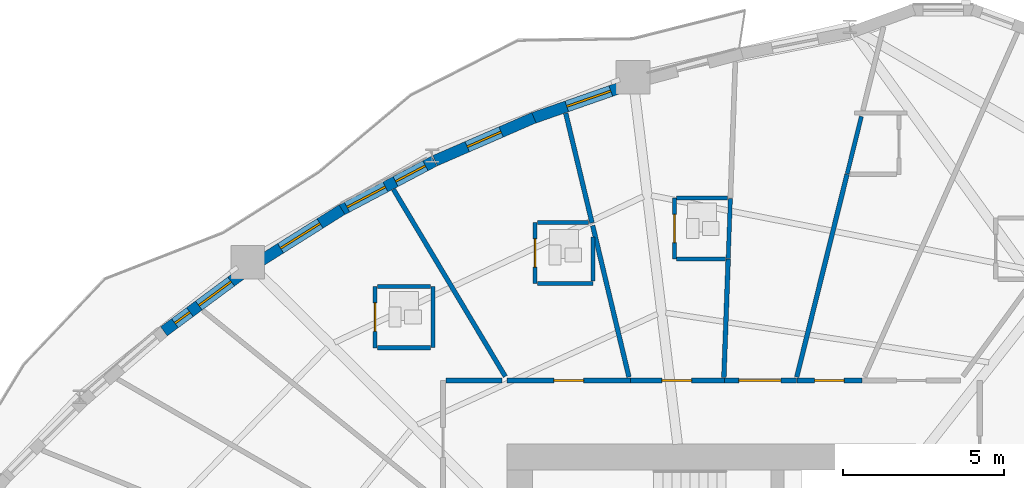
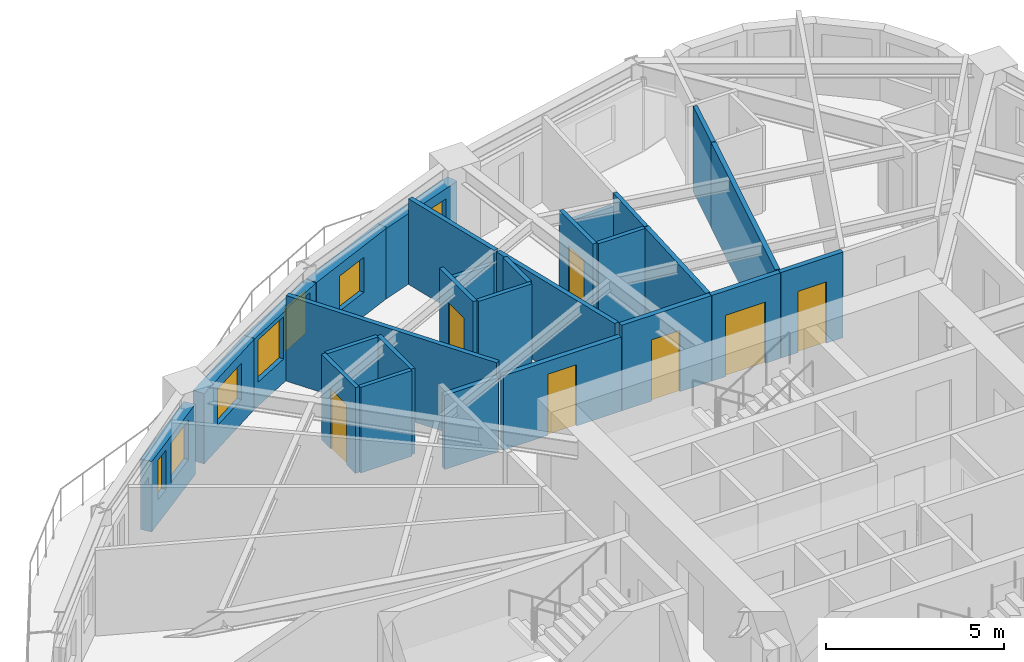
# One storey, part 9 of 16: 28 walls, 7 doors, 7 windows, 14 openings.
"""IFC4 building model written with IfcOpenShell, lengths in metres."""

import ifcopenshell
import ifcopenshell.guid

model = None  # the IFC model being written
_history = None  # IfcOwnerHistory: only IFC2X3 demands one
_inside = {}  # id of a spatial element -> (the spatial element, [elements in it])
_under = {}  # id of a project, library or spatial element -> (it, [spatial elements below it])
_declared = {}  # id of a project -> (the project, [libraries it declares])
_typed = {}  # id of a type object -> (the type object, [elements of that type])
_made_of = {}  # id of a material, layer set ... -> (it, [elements and type objects made of it])


def new_model(schema):
    """Start an empty IFC model of exactly this schema.

    Asked for "IFC4X3", IfcOpenShell would pick the latest addendum, in which some entities
    have other attributes; the version numbers below select the first issue.
    IFC2X3 requires an IfcOwnerHistory on every rooted entity: one is made here for all.
    """
    global model, _history
    if schema == "IFC4X3":
        model = ifcopenshell.file(schema_version=(4, 3, 0, 0))
    else:
        model = ifcopenshell.file(schema=schema)
    _inside.clear()
    _under.clear()
    _declared.clear()
    _typed.clear()
    _made_of.clear()
    _history = None
    if model.schema == "IFC2X3":
        org = make("IfcOrganization", Name="unknown")
        user = make(
            "IfcPersonAndOrganization",
            ThePerson=make("IfcPerson", FamilyName="unknown"),
            TheOrganization=org,
        )
        app = make(
            "IfcApplication",
            ApplicationDeveloper=org,
            Version="unknown",
            ApplicationFullName="unknown",
            ApplicationIdentifier="unknown",
        )
        _history = make(
            "IfcOwnerHistory",
            OwningUser=user,
            OwningApplication=app,
            ChangeAction="ADDED",
            CreationDate=0,
        )
    return model


def make(cls, **values):
    """One entity of the class cls with the attributes given. An attribute that is None is left unset."""
    return model.create_entity(
        cls, **{name: value for name, value in values.items() if value is not None}
    )


def rooted(cls, **values):
    """An entity with a GlobalId (a new one), such as an element, a storey or a relation."""
    return make(cls, GlobalId=ifcopenshell.guid.new(), OwnerHistory=_history, **values)


def si_unit(unit_type, name, prefix=None):
    """IfcSIUnit, for example si_unit("LENGTHUNIT", "METRE", prefix="MILLI")."""
    return make("IfcSIUnit", UnitType=unit_type, Prefix=prefix, Name=name)


def assignment(units):
    """IfcUnitAssignment: the units of a project."""
    return None if units is None else make("IfcUnitAssignment", Units=units)


def point(xyz):
    """IfcCartesianPoint."""
    return None if xyz is None else make("IfcCartesianPoint", Coordinates=xyz)


def direction(xyz):
    """IfcDirection."""
    return None if xyz is None else make("IfcDirection", DirectionRatios=xyz)


def frame(location, z_axis=None, x_axis=None):
    """IfcAxis2Placement3D, a coordinate frame: its origin and axes. An axis left out is left unset."""
    return make(
        "IfcAxis2Placement3D",
        Location=point(location),
        Axis=direction(z_axis),
        RefDirection=direction(x_axis),
    )


def frame_2d(location, x_axis=None):
    """IfcAxis2Placement2D, a coordinate frame in the plane: its origin and x axis."""
    return make(
        "IfcAxis2Placement2D", Location=point(location), RefDirection=direction(x_axis)
    )


def origin():
    """The frame at (0, 0, 0) with its axes left unset."""
    return frame((0.0, 0.0, 0.0))


def place(relative_to, where):
    """IfcLocalPlacement: puts the frame where relative to a parent placement (None: the world)."""
    return make(
        "IfcLocalPlacement", PlacementRelTo=relative_to, RelativePlacement=where
    )


def context(
    kind, dimensions, precision=None, world=None, true_north=None, identifier=None
):
    """IfcGeometricRepresentationContext, for example the 3D "Model" context."""
    return make(
        "IfcGeometricRepresentationContext",
        ContextIdentifier=identifier,
        ContextType=kind,
        CoordinateSpaceDimension=dimensions,
        Precision=precision,
        WorldCoordinateSystem=world,
        TrueNorth=true_north,
    )


def subcontext(parent, identifier, kind, view, scale=None):
    """IfcGeometricRepresentationSubContext, for example "Body" below "Model"."""
    return make(
        "IfcGeometricRepresentationSubContext",
        ContextIdentifier=identifier,
        ContextType=kind,
        ParentContext=parent,
        TargetScale=scale,
        TargetView=view,
    )


def project(units=None, contexts=None):
    """IfcProject with its units and contexts."""
    return rooted(
        "IfcProject",
        Name="project",
        RepresentationContexts=contexts,
        UnitsInContext=assignment(units),
    )


def spatial(cls, under=None, at=None, **own):
    """A site, building, storey or space (cls), placed at a placement, below another one or the project."""
    s = rooted(cls, ObjectPlacement=at, **own)
    if under is not None:
        _under.setdefault(under.id(), (under, []))[1].append(s)
    return s


def profile(cls, at=None, kind="AREA", **sizes):
    """A parametric profile (cls). Its sizes go by their IFC names, for example OverallWidth=200.0."""
    return make(cls, ProfileType=kind, Position=at, **sizes)


def rectangle(**sizes):
    """IfcRectangleProfileDef."""
    return profile("IfcRectangleProfileDef", **sizes)


def extrude(swept, where, along, depth):
    """IfcExtrudedAreaSolid: the profile swept, set in the frame where, extruded along a direction by depth."""
    return make(
        "IfcExtrudedAreaSolid",
        SweptArea=swept,
        Position=where,
        ExtrudedDirection=direction(along),
        Depth=depth,
    )


def shape(context_of_items, identifier, shape_type, items):
    """IfcShapeRepresentation: the items that make up one representation, for example the "Body"."""
    return make(
        "IfcShapeRepresentation",
        ContextOfItems=context_of_items,
        RepresentationIdentifier=identifier,
        RepresentationType=shape_type,
        Items=items,
    )


def source(mapping_origin, context_of_items, identifier, shape_type, items):
    """IfcRepresentationMap: a shape defined once, which mapped items show again and again."""
    return make(
        "IfcRepresentationMap",
        MappingOrigin=mapping_origin,
        MappedRepresentation=shape(context_of_items, identifier, shape_type, items),
    )


def transform(
    local_origin,
    x_axis=None,
    y_axis=None,
    z_axis=None,
    scale=None,
    scale2=None,
    scale3=None,
    uniform=True,
):
    """IfcCartesianTransformationOperator3D, or its non-uniform kind. x_axis, y_axis, z_axis: its Axis1, 2, 3."""
    if uniform:
        return make(
            "IfcCartesianTransformationOperator3D",
            Axis1=direction(x_axis),
            Axis2=direction(y_axis),
            LocalOrigin=point(local_origin),
            Scale=scale,
            Axis3=direction(z_axis),
        )
    return make(
        "IfcCartesianTransformationOperator3DnonUniform",
        Axis1=direction(x_axis),
        Axis2=direction(y_axis),
        LocalOrigin=point(local_origin),
        Scale=scale,
        Axis3=direction(z_axis),
        Scale2=scale2,
        Scale3=scale3,
    )


def mapped(mapping_source, mapping_target):
    """IfcMappedItem: shows the shape of a source again, moved by a transform."""
    return make(
        "IfcMappedItem", MappingSource=mapping_source, MappingTarget=mapping_target
    )


def material(Name=None, Category=None):
    """IfcMaterial."""
    return make("IfcMaterial", Name=Name, Category=Category)


def layer(
    of_material, thickness, ventilated=None, Name=None, Category=None, Priority=None
):
    """IfcMaterialLayer: one layer of a wall or slab, of a material (None: an air gap)."""
    return make(
        "IfcMaterialLayer",
        Material=of_material,
        LayerThickness=thickness,
        IsVentilated=ventilated,
        Name=Name,
        Category=Category,
        Priority=Priority,
    )


def layer_set(layers, Name=None):
    """IfcMaterialLayerSet."""
    return make("IfcMaterialLayerSet", MaterialLayers=layers, LayerSetName=Name)


def made_of(thing, what):
    """Note that an element or type object is made of a material, layer set ...; save() writes the relation."""
    if what is not None:
        _made_of.setdefault(what.id(), (what, []))[1].append(thing)
    return thing


def type_object(cls, material=None, **own):
    """A type object (cls), such as IfcWallType, which elements share."""
    return made_of(rooted(cls, **own), material)


def element(
    cls,
    number,
    at=None,
    inside=None,
    cuts=None,
    type_object=None,
    material=None,
    context=None,
    identifier="Body",
    shape_type=None,
    held_by="IfcProductDefinitionShape",
    body=None,
    shapes=None,
    **own,
):
    """One element of the class cls, such as IfcWall. Its Tag is "e" and its number.

    at: its placement. inside: the storey or other place that contains it. cuts: it is an
    opening in that element (IfcRelVoidsElement). A single representation is given by context,
    identifier, shape_type and body (its items); several are given by shapes. held_by: the class
    of the entity that holds the representations. save() writes the other relations.
    """
    e = rooted(cls, Tag="e%d" % number, ObjectPlacement=at, **own)
    if body is not None:
        shapes = [shape(context, identifier, shape_type, body)]
    if shapes is not None:
        e.Representation = make(held_by, Representations=shapes)
    if inside is not None:
        _inside.setdefault(inside.id(), (inside, []))[1].append(e)
    if cuts is not None:
        rooted(
            "IfcRelVoidsElement", RelatingBuildingElement=cuts, RelatedOpeningElement=e
        )
    if type_object is not None:
        _typed.setdefault(type_object.id(), (type_object, []))[1].append(e)
    return made_of(e, material)


def fill(opening, filler):
    """IfcRelFillsElement: the door or window that sits in an opening."""
    return rooted(
        "IfcRelFillsElement",
        RelatingOpeningElement=opening,
        RelatedBuildingElement=filler,
    )


def aggregate(whole, parts):
    """IfcRelAggregates: a whole, such as a stair, and the parts it consists of."""
    return rooted("IfcRelAggregates", RelatingObject=whole, RelatedObjects=parts)


def save(model, path):
    """Write the relations noted so far, then the file.

    IfcRelAggregates (storeys below a building ...), IfcRelContainedInSpatialStructure (elements
    in a storey), IfcRelDefinesByType, IfcRelAssociatesMaterial and IfcRelDeclares: one each for
    every whole, place, type object, material and project.
    """
    for whole, parts in _under.values():
        aggregate(whole, parts)
    for where, things in _inside.values():
        rooted(
            "IfcRelContainedInSpatialStructure",
            RelatedElements=things,
            RelatingStructure=where,
        )
    for kind, things in _typed.values():
        rooted("IfcRelDefinesByType", RelatedObjects=things, RelatingType=kind)
    for what, things in _made_of.values():
        rooted("IfcRelAssociatesMaterial", RelatedObjects=things, RelatingMaterial=what)
    for by, libraries in _declared.values():
        rooted("IfcRelDeclares", RelatingContext=by, RelatedDefinitions=libraries)
    model.write(path)


model = new_model("IFC4")

# Units and contexts
model_context = context("Model", 3, precision=1e-05, world=origin(), true_north=direction((0.0, 1.0)))
body_context = subcontext(model_context, "Body", "Model", "MODEL_VIEW")
ifc_project = project(units=[si_unit("LENGTHUNIT", "METRE"), si_unit("AREAUNIT", "SQUARE_METRE"), si_unit("VOLUMEUNIT", "CUBIC_METRE"), si_unit("PLANEANGLEUNIT", "RADIAN"), si_unit("MASSUNIT", "GRAM", prefix="KILO")], contexts=[model_context])

# Site, building, storey
site_placement = place(None, origin())
site = spatial("IfcSite", under=ifc_project, at=site_placement, CompositionType="ELEMENT")
building_placement = place(site_placement, origin())
building = spatial("IfcBuilding", under=site, at=building_placement, Name="Qafzar Sky-Pleat Residences", CompositionType="ELEMENT")
storey_placement = place(building_placement, frame((0.0, 0.0, 30.199951171875)))
storey = spatial("IfcBuildingStorey", under=building, at=storey_placement, Name="L08", CompositionType="ELEMENT", Elevation=30.199951171875)

# Wall, opening, door
ifc_material_1 = material(Name="Acoustic gypsum plasterboard partition", Category="gypsum")
ifc_layer_1 = layer(ifc_material_1, 0.159912109375)
ifc_layer_set_1 = layer_set([ifc_layer_1], Name="Acoustic gypsum plasterboard partition")
wall_type_1 = type_object("IfcWallType", Name="PART-COR-160", PredefinedType="PARTITIONING", material=ifc_layer_set_1)
wall_1_placement = place(storey_placement, frame((24.009033203125, 36.580078125, 0.0), z_axis=(0.0, 0.0, 1.0), x_axis=(1.0, 0.0, 0.0)))
wall_1 = element("IfcWall", 1, at=wall_1_placement, inside=storey, type_object=wall_type_1, Name="L08 Partition Wall PART-L08-PW-008", PredefinedType="PARTITIONING", context=body_context, shape_type="SweptSolid", body=[
    extrude(rectangle(XDim=3.822021484375, YDim=0.159912109375, at=frame_2d((1.9111328125, 0.0))), origin(), (0.0, 0.0, 1.0), 2.54296875),
])
opening_1_placement = place(wall_1_placement, frame((1.451904296875, 0.0, 0.0)))
opening_1 = element("IfcOpeningElement", 2, at=opening_1_placement, cuts=wall_1, Name="Opening ID-04", PredefinedType="OPENING", context=body_context, shape_type="SweptSolid", body=[
    extrude(rectangle(XDim=0.919921875, YDim=2.10009765625, at=frame_2d((0.4599609375, 1.050048828125))), frame((0.0, 0.08984375, 0.0), z_axis=(0.0, -1.0, 0.0), x_axis=(1.0, 0.0, 0.0)), (0.0, 0.0, 1.0), 0.179931640625),
])
ifc_material_2 = material(Name="Timber-faced fire door", Category="wood")
door_type_1 = type_object("IfcDoorType", Name="DR-BED-920", OperationType="NOTDEFINED", PredefinedType="DOOR", material=ifc_material_2)
shared_shape_1 = source(origin(), body_context, "Body", "SweptSolid", [
    extrude(rectangle(XDim=0.919921875, YDim=2.10009765625, at=frame_2d((0.4599609375, 1.050048828125))), frame((0.0, 0.02490234375, 0.0), z_axis=(0.0, -1.0, 0.0), x_axis=(1.0, 0.0, 0.0)), (0.0, 0.0, 1.0), 0.050048828125),
])
door_1_placement = place(opening_1_placement, origin())
door_1 = element("IfcDoor", 3, at=door_1_placement, inside=storey, type_object=door_type_1, Name="L08 Co-Living Bedroom 2 Door", OperationType="SINGLE_SWING_LEFT", OverallHeight=2.10009765625, OverallWidth=0.919921875, PredefinedType="DOOR", context=body_context, shape_type="MappedRepresentation", body=[
    mapped(shared_shape_1, transform((0.0, 0.0, 0.0), x_axis=(1.0, 0.0, 0.0), y_axis=(0.0, 1.0, 0.0), z_axis=(0.0, 0.0, 1.0), scale=1.0)),
])
fill(opening_1, door_1)

wall_2_placement = place(storey_placement, frame((27.845947265625, 36.580078125, 0.0), z_axis=(0.0, 0.0, 1.0), x_axis=(1.0, 0.0, 0.0)))
wall_2 = element("IfcWall", 4, at=wall_2_placement, inside=storey, type_object=wall_type_1, Name="L08 Partition Wall PART-L08-PW-014", PredefinedType="PARTITIONING", context=body_context, shape_type="SweptSolid", body=[
    extrude(rectangle(XDim=2.903076171875, YDim=0.159912109375, at=frame_2d((1.45166015625, 0.0))), origin(), (0.0, 0.0, 1.0), 2.93505859375),
])
opening_2_placement = place(wall_2_placement, frame((0.968994140625, 0.0, 0.0)))
opening_2 = element("IfcOpeningElement", 5, at=opening_2_placement, cuts=wall_2, Name="Opening ID-04", PredefinedType="OPENING", context=body_context, shape_type="SweptSolid", body=[
    extrude(rectangle(XDim=0.919921875, YDim=2.10009765625, at=frame_2d((0.4599609375, 1.050048828125))), frame((0.0, 0.08984375, 0.0), z_axis=(0.0, -1.0, 0.0), x_axis=(1.0, 0.0, 0.0)), (0.0, 0.0, 1.0), 0.179931640625),
])
door_2_placement = place(opening_2_placement, origin())
door_2 = element("IfcDoor", 6, at=door_2_placement, inside=storey, type_object=door_type_1, Name="L08 Co-Living Bedroom 1 Door", OperationType="SINGLE_SWING_RIGHT", OverallHeight=2.10009765625, OverallWidth=0.919921875, PredefinedType="DOOR", context=body_context, shape_type="MappedRepresentation", body=[
    mapped(shared_shape_1, transform((0.0, 0.0, 0.0), x_axis=(1.0, 0.0, 0.0), y_axis=(0.0, 1.0, 0.0), z_axis=(0.0, 0.0, 1.0), scale=1.0)),
])
fill(opening_2, door_2)

wall_3_placement = place(storey_placement, frame((30.763916015625, 36.580078125, 0.0), z_axis=(0.0, 0.0, 1.0), x_axis=(1.0, 0.0, 0.0)))
wall_3 = element("IfcWall", 7, at=wall_3_placement, inside=storey, type_object=wall_type_1, Name="L08 Partition Wall PART-L08-PW-017", PredefinedType="PARTITIONING", context=body_context, shape_type="SweptSolid", body=[
    extrude(rectangle(XDim=2.22509765625, YDim=0.159912109375, at=frame_2d((1.112548828125, 0.0))), origin(), (0.0, 0.0, 1.0), 2.93505859375),
])
opening_3_placement = place(wall_3_placement, frame((0.43994140625, 0.0, 0.0)))
opening_3 = element("IfcOpeningElement", 8, at=opening_3_placement, cuts=wall_3, Name="Opening ID-05", PredefinedType="OPENING", context=body_context, shape_type="SweptSolid", body=[
    extrude(rectangle(XDim=1.300048828125, YDim=2.10009765625, at=frame_2d((0.64990234375, 1.050048828125))), frame((0.0, 0.08984375, 0.0), z_axis=(0.0, -1.0, 0.0), x_axis=(1.0, 0.0, 0.0)), (0.0, 0.0, 1.0), 0.179931640625),
])
door_type_2 = type_object("IfcDoorType", Name="DR-LNG-1300", OperationType="DOUBLE_DOOR_SINGLE_SWING", PredefinedType="DOOR", material=ifc_material_2)
shared_shape_2 = source(origin(), body_context, "Body", "SweptSolid", [
    extrude(rectangle(XDim=1.300048828125, YDim=2.10009765625, at=frame_2d((0.64990234375, 1.050048828125))), frame((0.0, 0.02490234375, 0.0), z_axis=(0.0, -1.0, 0.0), x_axis=(1.0, 0.0, 0.0)), (0.0, 0.0, 1.0), 0.050048828125),
])
door_3_placement = place(opening_3_placement, origin())
door_3 = element("IfcDoor", 9, at=door_3_placement, inside=storey, type_object=door_type_2, Name="L08 Communal Kitchen Door", OperationType="DOUBLE_DOOR_SINGLE_SWING", OverallHeight=2.10009765625, OverallWidth=1.300048828125, PredefinedType="DOOR", context=body_context, shape_type="MappedRepresentation", body=[
    mapped(shared_shape_2, transform((0.0, 0.0, 0.0), x_axis=(1.0, 0.0, 0.0), y_axis=(0.0, 1.0, 0.0), z_axis=(0.0, 0.0, 1.0), scale=1.0)),
])
fill(opening_3, door_3)

wall_4_placement = place(storey_placement, frame((33.00390625, 36.580078125, 0.0), z_axis=(0.0, 0.0, 1.0), x_axis=(1.0, 0.0, 0.0)))
wall_4 = element("IfcWall", 10, at=wall_4_placement, inside=storey, type_object=wall_type_1, Name="L08 Partition Wall PART-L08-PW-018", PredefinedType="PARTITIONING", context=body_context, shape_type="SweptSolid", body=[
    extrude(rectangle(XDim=2.01708984375, YDim=0.159912109375, at=frame_2d((1.008544921875, 0.0))), origin(), (0.0, 0.0, 1.0), 2.93505859375),
])
opening_4_placement = place(wall_4_placement, frame((0.549072265625, 0.0, 0.0)))
opening_4 = element("IfcOpeningElement", 11, at=opening_4_placement, cuts=wall_4, Name="Opening ID-04", PredefinedType="OPENING", context=body_context, shape_type="SweptSolid", body=[
    extrude(rectangle(XDim=0.919921875, YDim=2.10009765625, at=frame_2d((0.4599609375, 1.050048828125))), frame((0.0, 0.08984375, 0.0), z_axis=(0.0, -1.0, 0.0), x_axis=(1.0, 0.0, 0.0)), (0.0, 0.0, 1.0), 0.179931640625),
])
door_4_placement = place(opening_4_placement, origin())
door_4 = element("IfcDoor", 12, at=door_4_placement, inside=storey, type_object=door_type_1, Name="L08 Co-Living Bedroom 12 Door", OperationType="SINGLE_SWING_RIGHT", OverallHeight=2.10009765625, OverallWidth=0.919921875, PredefinedType="DOOR", context=body_context, shape_type="MappedRepresentation", body=[
    mapped(shared_shape_1, transform((0.0, 0.0, 0.0), x_axis=(1.0, 0.0, 0.0), y_axis=(0.0, 1.0, 0.0), z_axis=(0.0, 0.0, 1.0), scale=1.0)),
])
fill(opening_4, door_4)

# Walls
wall_5_placement = place(storey_placement, frame((22.10791015625, 36.580078125, 0.0), z_axis=(0.0, 0.0, 1.0), x_axis=(1.0, 0.0, 0.0)))
element("IfcWall", 13, at=wall_5_placement, inside=storey, type_object=wall_type_1, Name="L08 Partition Wall PART-L08-PW-060", PredefinedType="PARTITIONING", context=body_context, shape_type="SweptSolid", body=[
    extrude(rectangle(XDim=1.745849609375, YDim=0.159912109375, at=frame_2d((0.873046875, 0.0))), origin(), (0.0, 0.0, 1.0), 2.54296875),
])
ifc_layer_2 = layer(ifc_material_1, 0.14501953125)
ifc_layer_set_2 = layer_set([ifc_layer_2], Name="Acoustic gypsum plasterboard partition")
wall_type_2 = type_object("IfcWallType", Name="PART-UNIT-145", PredefinedType="PARTITIONING", material=ifc_layer_set_2)
wall_6_placement = place(storey_placement, frame((20.481201171875, 42.510498046875, 0.0), z_axis=(0.0, 0.0, 1.0), x_axis=(0.513067331262, -0.858348363773, 0.0)))
element("IfcWall", 14, at=wall_6_placement, inside=storey, type_object=wall_type_2, Name="L08 Partition Wall PART-L08-PW-046", PredefinedType="PARTITIONING", context=body_context, shape_type="SweptSolid", body=[
    extrude(rectangle(XDim=6.7646484375, YDim=0.14501953125, at=frame_2d((3.38232421875, 0.0))), origin(), (0.0, 0.0, 1.0), 2.93505859375),
])
wall_7_placement = place(storey_placement, frame((33.0, 36.685302734375, 0.0), z_axis=(0.0, 0.0, 1.0), x_axis=(0.240736846637, 0.970590423748, 0.0)))
element("IfcWall", 15, at=wall_7_placement, inside=storey, type_object=wall_type_2, Name="L08 Partition Wall PART-L08-PW-047", PredefinedType="PARTITIONING", context=body_context, shape_type="SweptSolid", body=[
    extrude(rectangle(XDim=6.484375, YDim=0.14501953125, at=frame_2d((3.2421875, 0.0))), origin(), (0.0, 0.0, 1.0), 2.93505859375),
])
wall_8_placement = place(storey_placement, frame((26.6640625, 41.387939453125, 0.0), z_axis=(0.0, 0.0, 1.0), x_axis=(0.233021630241, -0.972471552201, 0.0)))
element("IfcWall", 16, at=wall_8_placement, inside=storey, type_object=wall_type_2, Name="L08 Partition Wall PART-L08-PW-051", PredefinedType="PARTITIONING", context=body_context, shape_type="SweptSolid", body=[
    extrude(rectangle(XDim=4.836181640625, YDim=0.14501953125, at=frame_2d((2.41796875, 0.0))), origin(), (0.0, 0.0, 1.0), 2.93505859375),
])
wall_9_placement = place(storey_placement, frame((30.7373046875, 36.670654296875, 0.0), z_axis=(0.0, 0.0, 1.0), x_axis=(0.036368539535, 0.999338445839, 0.0)))
element("IfcWall", 17, at=wall_9_placement, inside=storey, type_object=wall_type_2, Name="L08 Partition Wall PART-L08-PW-054", PredefinedType="PARTITIONING", context=body_context, shape_type="SweptSolid", body=[
    extrude(rectangle(XDim=3.6787109375, YDim=0.14501953125, at=frame_2d((1.83935546875, 0.0))), origin(), (0.0, 0.0, 1.0), 2.93505859375),
])
wall_10_placement = place(storey_placement, frame((25.828857421875, 44.87548828125, 0.0), z_axis=(0.0, 0.0, 1.0), x_axis=(0.232921769711, -0.972495475154, 0.0)))
element("IfcWall", 18, at=wall_10_placement, inside=storey, type_object=wall_type_2, Name="L08 Partition Wall PART-L08-PW-055", PredefinedType="PARTITIONING", context=body_context, shape_type="SweptSolid", body=[
    extrude(rectangle(XDim=3.499755859375, YDim=0.14501953125, at=frame_2d((1.75, 0.0))), origin(), (0.0, 0.0, 1.0), 2.93505859375),
])

# Wall, opening, door
ifc_material_3 = material(Name="Moisture-resistant gypsum partition", Category="gypsum")
ifc_layer_3 = layer(ifc_material_3, 0.1298828125)
ifc_layer_set_3 = layer_set([ifc_layer_3], Name="Moisture-resistant gypsum partition")
wall_type_3 = type_object("IfcWallType", Name="PART-WET-130", PredefinedType="PARTITIONING", material=ifc_layer_set_3)
wall_11_placement = place(storey_placement, frame((29.200927734375, 42.2470703125, 0.0), z_axis=(0.0, 0.0, 1.0), x_axis=(0.0, -1.0, 0.0)))
wall_11 = element("IfcWall", 19, at=wall_11_placement, inside=storey, type_object=wall_type_3, Name="L08 Partition Wall PART-L08-PW-023", PredefinedType="PARTITIONING", context=body_context, shape_type="SweptSolid", body=[
    extrude(rectangle(XDim=1.900146484375, YDim=0.1298828125, at=frame_2d((0.9501953125, 0.0))), origin(), (0.0, 0.0, 1.0), 2.93505859375),
])
opening_5_placement = place(wall_11_placement, frame((0.510009765625, 0.0, 0.0)))
opening_5 = element("IfcOpeningElement", 20, at=opening_5_placement, cuts=wall_11, Name="Opening ID-07", PredefinedType="OPENING", context=body_context, shape_type="SweptSolid", body=[
    extrude(rectangle(XDim=0.8798828125, YDim=2.050048828125, at=frame_2d((0.43994140625, 1.02490234375))), frame((0.0, 0.074951171875, 0.0), z_axis=(0.0, -1.0, 0.0), x_axis=(1.0, 0.0, 0.0)), (0.0, 0.0, 1.0), 0.14990234375),
])
door_type_3 = type_object("IfcDoorType", Name="DR-WET-880", OperationType="NOTDEFINED", PredefinedType="DOOR", material=ifc_material_2)
shared_shape_3 = source(origin(), body_context, "Body", "SweptSolid", [
    extrude(rectangle(XDim=0.8798828125, YDim=2.050048828125, at=frame_2d((0.43994140625, 1.02490234375))), frame((0.0, 0.02490234375, 0.0), z_axis=(0.0, -1.0, 0.0), x_axis=(1.0, 0.0, 0.0)), (0.0, 0.0, 1.0), 0.050048828125),
])
door_5_placement = place(opening_5_placement, origin())
door_5 = element("IfcDoor", 21, at=door_5_placement, inside=storey, type_object=door_type_3, Name="L08 En-suite Bathroom 1 Door", OperationType="SINGLE_SWING_LEFT", OverallHeight=2.050048828125, OverallWidth=0.8798828125, PredefinedType="DOOR", context=body_context, shape_type="MappedRepresentation", body=[
    mapped(shared_shape_3, transform((0.0, 0.0, 0.0), x_axis=(1.0, 0.0, 0.0), y_axis=(0.0, 1.0, 0.0), z_axis=(0.0, 0.0, 1.0), scale=1.0)),
])
fill(opening_5, door_5)

wall_12_placement = place(storey_placement, frame((24.87890625, 41.487060546875, 0.0), z_axis=(0.0, 0.0, 1.0), x_axis=(0.0, -1.0, 0.0)))
wall_12 = element("IfcWall", 22, at=wall_12_placement, inside=storey, type_object=wall_type_3, Name="L08 Partition Wall PART-L08-PW-024", PredefinedType="PARTITIONING", context=body_context, shape_type="SweptSolid", body=[
    extrude(rectangle(XDim=1.900146484375, YDim=0.1298828125, at=frame_2d((0.9501953125, 0.0))), origin(), (0.0, 0.0, 1.0), 2.93505859375),
])
opening_6_placement = place(wall_12_placement, frame((0.510009765625, 0.0, 0.0)))
opening_6 = element("IfcOpeningElement", 23, at=opening_6_placement, cuts=wall_12, Name="Opening ID-07", PredefinedType="OPENING", context=body_context, shape_type="SweptSolid", body=[
    extrude(rectangle(XDim=0.8798828125, YDim=2.050048828125, at=frame_2d((0.43994140625, 1.02490234375))), frame((0.0, 0.074951171875, 0.0), z_axis=(0.0, -1.0, 0.0), x_axis=(1.0, 0.0, 0.0)), (0.0, 0.0, 1.0), 0.14990234375),
])
door_6_placement = place(opening_6_placement, origin())
door_6 = element("IfcDoor", 24, at=door_6_placement, inside=storey, type_object=door_type_3, Name="L08 En-suite Bathroom 2 Door", OperationType="SINGLE_SWING_RIGHT", OverallHeight=2.050048828125, OverallWidth=0.8798828125, PredefinedType="DOOR", context=body_context, shape_type="MappedRepresentation", body=[
    mapped(shared_shape_3, transform((0.0, 0.0, 0.0), x_axis=(1.0, 0.0, 0.0), y_axis=(0.0, 1.0, 0.0), z_axis=(0.0, 0.0, 1.0), scale=1.0)),
])
fill(opening_6, door_6)

wall_13_placement = place(storey_placement, frame((19.909912109375, 39.4951171875, 0.0), z_axis=(0.0, 0.0, 1.0), x_axis=(0.0, -1.0, 0.0)))
wall_13 = element("IfcWall", 25, at=wall_13_placement, inside=storey, type_object=wall_type_3, Name="L08 Partition Wall PART-L08-PW-025", PredefinedType="PARTITIONING", context=body_context, shape_type="SweptSolid", body=[
    extrude(rectangle(XDim=1.900146484375, YDim=0.1298828125, at=frame_2d((0.9501953125, 0.0))), origin(), (0.0, 0.0, 1.0), 2.93505859375),
])
opening_7_placement = place(wall_13_placement, frame((0.510009765625, 0.0, 0.0)))
opening_7 = element("IfcOpeningElement", 26, at=opening_7_placement, cuts=wall_13, Name="Opening ID-07", PredefinedType="OPENING", context=body_context, shape_type="SweptSolid", body=[
    extrude(rectangle(XDim=0.8798828125, YDim=2.050048828125, at=frame_2d((0.43994140625, 1.02490234375))), frame((0.0, 0.074951171875, 0.0), z_axis=(0.0, -1.0, 0.0), x_axis=(1.0, 0.0, 0.0)), (0.0, 0.0, 1.0), 0.14990234375),
])
door_7_placement = place(opening_7_placement, origin())
door_7 = element("IfcDoor", 27, at=door_7_placement, inside=storey, type_object=door_type_3, Name="L08 En-suite Bathroom 3 Door", OperationType="SINGLE_SWING_LEFT", OverallHeight=2.050048828125, OverallWidth=0.8798828125, PredefinedType="DOOR", context=body_context, shape_type="MappedRepresentation", body=[
    mapped(shared_shape_3, transform((0.0, 0.0, 0.0), x_axis=(1.0, 0.0, 0.0), y_axis=(0.0, 1.0, 0.0), z_axis=(0.0, 0.0, 1.0), scale=1.0)),
])
fill(opening_7, door_7)

# Walls
wall_14_placement = place(storey_placement, frame((34.564697265625, 42.99365234375, 0.0), z_axis=(0.0, 0.0, 1.0), x_axis=(0.240658084914, 0.970609955732, 0.0)))
element("IfcWall", 28, at=wall_14_placement, inside=storey, type_object=wall_type_3, Name="L08 Partition Wall PART-L08-PW-061", PredefinedType="PARTITIONING", context=body_context, shape_type="SweptSolid", body=[
    extrude(rectangle(XDim=1.836181640625, YDim=0.1298828125, at=frame_2d((0.91796875, 0.0))), origin(), (0.0, 0.0, 1.0), 2.93505859375),
])
wall_15_placement = place(storey_placement, frame((21.7099609375, 37.594970703125, 0.0), z_axis=(0.0, 0.0, 1.0), x_axis=(0.0, 1.0, 0.0)))
element("IfcWall", 29, at=wall_15_placement, inside=storey, type_object=wall_type_3, Name="L08 Partition Wall PART-L08-PW-063", PredefinedType="PARTITIONING", context=body_context, shape_type="SweptSolid", body=[
    extrude(rectangle(XDim=1.900146484375, YDim=0.1298828125, at=frame_2d((0.9501953125, 0.0))), origin(), (0.0, 0.0, 1.0), 2.93505859375),
])
wall_16_placement = place(storey_placement, frame((30.87158203125, 40.362060546875, 0.0), z_axis=(0.0, 0.0, 1.0), x_axis=(0.036273279858, 0.999341908042, 0.0)))
element("IfcWall", 30, at=wall_16_placement, inside=storey, type_object=wall_type_3, Name="L08 Partition Wall PART-L08-PW-066", PredefinedType="PARTITIONING", context=body_context, shape_type="SweptSolid", body=[
    extrude(rectangle(XDim=1.87109375, YDim=0.1298828125, at=frame_2d((0.935546875, 0.0))), origin(), (0.0, 0.0, 1.0), 2.93505859375),
])
for number, where, z_axis, x_axis, name in (
    (31, (19.98291015625, 39.4951171875, 0.0), (0.0, 0.0, 1.0), (1.0, 0.0, 0.0), "L08 Partition Wall PART-L08-PW-070"),
    (32, (19.98291015625, 37.594970703125, 0.0), (0.0, 0.0, 1.0), (1.0, 0.0, 0.0), "L08 Partition Wall PART-L08-PW-071"),
):
    element("IfcWall", number, at=place(storey_placement, frame(where, z_axis=z_axis, x_axis=x_axis)), inside=storey, type_object=wall_type_3, Name=name, PredefinedType="PARTITIONING", context=body_context, shape_type="SweptSolid", body=[
        extrude(rectangle(XDim=1.654052734375, YDim=0.1298828125, at=frame_2d((0.8271484375, 0.0))), origin(), (0.0, 0.0, 1.0), 2.93505859375),
    ])
wall_17_placement = place(storey_placement, frame((24.951904296875, 39.5869140625, 0.0), z_axis=(0.0, 0.0, 1.0), x_axis=(1.0, 0.0, 0.0)))
element("IfcWall", 33, at=wall_17_placement, inside=storey, type_object=wall_type_3, Name="L08 Partition Wall PART-L08-PW-074", PredefinedType="PARTITIONING", context=body_context, shape_type="SweptSolid", body=[
    extrude(rectangle(XDim=1.72705078125, YDim=0.1298828125, at=frame_2d((0.863525390625, 0.0))), origin(), (0.0, 0.0, 1.0), 2.93505859375),
])
wall_18_placement = place(storey_placement, frame((24.951904296875, 41.487060546875, 0.0), z_axis=(0.0, 0.0, 1.0), x_axis=(1.0, 0.0, 0.0)))
element("IfcWall", 34, at=wall_18_placement, inside=storey, type_object=wall_type_3, Name="L08 Partition Wall PART-L08-PW-081", PredefinedType="PARTITIONING", context=body_context, shape_type="SweptSolid", body=[
    extrude(rectangle(XDim=1.590087890625, YDim=0.1298828125, at=frame_2d((0.794921875, 0.0))), origin(), (0.0, 0.0, 1.0), 2.5029296875),
])
wall_19_placement = place(storey_placement, frame((29.27392578125, 42.2470703125, 0.0), z_axis=(0.0, 0.0, 1.0), x_axis=(1.0, 0.0, 0.0)))
element("IfcWall", 35, at=wall_19_placement, inside=storey, type_object=wall_type_3, Name="L08 Partition Wall PART-L08-PW-082", PredefinedType="PARTITIONING", context=body_context, shape_type="SweptSolid", body=[
    extrude(rectangle(XDim=1.583251953125, YDim=0.1298828125, at=frame_2d((0.79150390625, 0.0))), origin(), (0.0, 0.0, 1.0), 2.5029296875),
])
wall_20_placement = place(storey_placement, frame((26.678955078125, 39.659912109375, 0.0), z_axis=(0.0, 0.0, 1.0), x_axis=(0.0, 1.0, 0.0)))
element("IfcWall", 36, at=wall_20_placement, inside=storey, type_object=wall_type_3, Name="L08 Partition Wall PART-L08-PW-083", PredefinedType="PARTITIONING", context=body_context, shape_type="SweptSolid", body=[
    extrude(rectangle(XDim=1.380126953125, YDim=0.1298828125, at=frame_2d((0.68994140625, 0.0))), origin(), (0.0, 0.0, 1.0), 2.93505859375),
])
wall_21_placement = place(storey_placement, frame((29.27392578125, 40.346923828125, 0.0), z_axis=(0.0, 0.0, 1.0), x_axis=(1.0, 0.0, 0.0)))
element("IfcWall", 37, at=wall_21_placement, inside=storey, type_object=wall_type_3, Name="L08 Partition Wall PART-L08-PW-084", PredefinedType="PARTITIONING", context=body_context, shape_type="SweptSolid", body=[
    extrude(rectangle(XDim=1.51416015625, YDim=0.1298828125, at=frame_2d((0.757080078125, 0.0))), origin(), (0.0, 0.0, 1.0), 2.93505859375),
])

# Wall, opening, window
ifc_material_4 = material(Name="Precast concrete C40/50 with honed Riyadh limestone", Category="concrete")
ifc_layer_4 = layer(ifc_material_4, 0.35009765625)
ifc_layer_set_4 = layer_set([ifc_layer_4], Name="Precast concrete C40/50 with honed Riyadh limestone")
wall_type_4 = type_object("IfcWallType", Name="WALL-EXT-350", PredefinedType="SOLIDWALL", material=ifc_layer_set_4)
wall_22_placement = place(storey_placement, frame((27.687255859375, 45.725830078125, 0.0), z_axis=(0.0, 0.0, 1.0), x_axis=(-0.9441205041, -0.329600475936, 0.0)))
wall_22 = element("IfcWall", 38, at=wall_22_placement, inside=storey, type_object=wall_type_4, Name="L08 Limestone Facade Wall 41", PredefinedType="SOLIDWALL", context=body_context, shape_type="SweptSolid", body=[
    extrude(rectangle(XDim=3.103515625, YDim=0.35009765625, at=frame_2d((1.5517578125, 0.0))), origin(), (0.0, 0.0, 1.0), 2.4150390625),
])
opening_8_placement = place(wall_22_placement, frame((0.486083984375, 0.0, 0.820068359375)))
opening_8 = element("IfcOpeningElement", 39, at=opening_8_placement, cuts=wall_22, Name="Opening WN-15", PredefinedType="OPENING", context=body_context, shape_type="SweptSolid", body=[
    extrude(rectangle(XDim=1.449951171875, YDim=1.25, at=frame_2d((0.72509765625, 0.625))), frame((0.0, 0.18505859375, 0.0), z_axis=(0.0, -1.0, 0.0), x_axis=(1.0, 0.0, 0.0)), (0.0, 0.0, 1.0), 0.3701171875),
])
ifc_material_5 = material(Name="Solar-control low-E glass in bronze aluminium frame", Category="glass")
window_type_1 = type_object("IfcWindowType", Name="WIN-15", PartitioningType="SINGLE_PANEL", PredefinedType="WINDOW", material=ifc_material_5)
shared_shape_4 = source(origin(), body_context, "Body", "SweptSolid", [
    extrude(rectangle(XDim=1.449951171875, YDim=1.25, at=frame_2d((0.72509765625, 0.625))), frame((0.0, 0.030029296875, 0.0), z_axis=(0.0, -1.0, 0.0), x_axis=(1.0, 0.0, 0.0)), (0.0, 0.0, 1.0), 0.06005859375),
])
window_1_placement = place(opening_8_placement, origin())
window_1 = element("IfcWindow", 40, at=window_1_placement, inside=storey, type_object=window_type_1, Name="L08 Punched Facade Window 41", OverallHeight=1.25, OverallWidth=1.449951171875, PartitioningType="SINGLE_PANEL", PredefinedType="WINDOW", context=body_context, shape_type="MappedRepresentation", body=[
    mapped(shared_shape_4, transform((0.0, 0.0, 0.0), x_axis=(1.0, 0.0, 0.0), y_axis=(0.0, 1.0, 0.0), z_axis=(0.0, 0.0, 1.0), scale=1.0)),
])
fill(opening_8, window_1)

wall_23_placement = place(storey_placement, frame((24.83984375, 44.7353515625, 0.0), z_axis=(0.0, 0.0, 1.0), x_axis=(-0.917090935142, -0.398678086532, 0.0)))
wall_23 = element("IfcWall", 41, at=wall_23_placement, inside=storey, type_object=wall_type_4, Name="L08 Limestone Facade Wall 42", PredefinedType="SOLIDWALL", context=body_context, shape_type="SweptSolid", body=[
    extrude(rectangle(XDim=3.345947265625, YDim=0.35009765625, at=frame_2d((1.6728515625, 0.0))), origin(), (0.0, 0.0, 1.0), 2.4150390625),
])
opening_9_placement = place(wall_23_placement, frame((1.10791015625, 0.0, 0.820068359375)))
opening_9 = element("IfcOpeningElement", 42, at=opening_9_placement, cuts=wall_23, Name="Opening WN-16", PredefinedType="OPENING", context=body_context, shape_type="SweptSolid", body=[
    extrude(rectangle(XDim=1.14990234375, YDim=1.199951171875, at=frame_2d((0.574951171875, 0.60009765625))), frame((0.0, 0.18505859375, 0.0), z_axis=(0.0, -1.0, 0.0), x_axis=(1.0, 0.0, 0.0)), (0.0, 0.0, 1.0), 0.3701171875),
])
window_type_2 = type_object("IfcWindowType", Name="WIN-16", PartitioningType="SINGLE_PANEL", PredefinedType="WINDOW", material=ifc_material_5)
shared_shape_5 = source(origin(), body_context, "Body", "SweptSolid", [
    extrude(rectangle(XDim=1.14990234375, YDim=1.199951171875, at=frame_2d((0.574951171875, 0.60009765625))), frame((0.0, 0.030029296875, 0.0), z_axis=(0.0, -1.0, 0.0), x_axis=(1.0, 0.0, 0.0)), (0.0, 0.0, 1.0), 0.06005859375),
])
window_2_placement = place(opening_9_placement, origin())
window_2 = element("IfcWindow", 43, at=window_2_placement, inside=storey, type_object=window_type_2, Name="L08 Punched Facade Window 42", OverallHeight=1.199951171875, OverallWidth=1.14990234375, PartitioningType="SINGLE_PANEL", PredefinedType="WINDOW", context=body_context, shape_type="MappedRepresentation", body=[
    mapped(shared_shape_5, transform((0.0, 0.0, 0.0), x_axis=(1.0, 0.0, 0.0), y_axis=(0.0, 1.0, 0.0), z_axis=(0.0, 0.0, 1.0), scale=1.0)),
])
fill(opening_9, window_2)

# Wall, openings, windows
wall_24_placement = place(storey_placement, frame((21.747314453125, 43.389892578125, 0.0), z_axis=(0.0, 0.0, 1.0), x_axis=(-0.88437802144, -0.46677137358, 0.0)))
wall_24 = element("IfcWall", 44, at=wall_24_placement, inside=storey, type_object=wall_type_4, Name="L08 Limestone Facade Wall 43", PredefinedType="SOLIDWALL", context=body_context, shape_type="SweptSolid", body=[
    extrude(rectangle(XDim=3.3271484375, YDim=0.35009765625, at=frame_2d((1.66357421875, 0.0))), origin(), (0.0, 0.0, 1.0), 2.4150390625),
])
opening_10_placement = place(wall_24_placement, frame((0.310546875, 0.0, 0.820068359375)))
opening_10 = element("IfcOpeningElement", 45, at=opening_10_placement, cuts=wall_24, Name="Opening WN-06", PredefinedType="OPENING", context=body_context, shape_type="SweptSolid", body=[
    extrude(rectangle(XDim=1.050048828125, YDim=1.449951171875, at=frame_2d((0.52490234375, 0.72509765625))), frame((0.0, 0.18505859375, 0.0), z_axis=(0.0, -1.0, 0.0), x_axis=(1.0, 0.0, 0.0)), (0.0, 0.0, 1.0), 0.3701171875),
])
opening_11_placement = place(wall_24_placement, frame((1.714111328125, 0.0, 0.820068359375)))
opening_11 = element("IfcOpeningElement", 46, at=opening_11_placement, cuts=wall_24, Name="Opening WN-04", PredefinedType="OPENING", context=body_context, shape_type="SweptSolid", body=[
    extrude(rectangle(XDim=1.35009765625, YDim=1.449951171875, at=frame_2d((0.675048828125, 0.72509765625))), frame((0.0, 0.18505859375, 0.0), z_axis=(0.0, -1.0, 0.0), x_axis=(1.0, 0.0, 0.0)), (0.0, 0.0, 1.0), 0.3701171875),
])
window_type_3 = type_object("IfcWindowType", Name="WIN-06", PartitioningType="SINGLE_PANEL", PredefinedType="WINDOW", material=ifc_material_5)
shared_shape_6 = source(origin(), body_context, "Body", "SweptSolid", [
    extrude(rectangle(XDim=1.050048828125, YDim=1.449951171875, at=frame_2d((0.52490234375, 0.72509765625))), frame((0.0, 0.030029296875, 0.0), z_axis=(0.0, -1.0, 0.0), x_axis=(1.0, 0.0, 0.0)), (0.0, 0.0, 1.0), 0.06005859375),
])
window_3_placement = place(opening_10_placement, origin())
window_3 = element("IfcWindow", 47, at=window_3_placement, inside=storey, type_object=window_type_3, Name="L08 Punched Facade Window 43", OverallHeight=1.449951171875, OverallWidth=1.050048828125, PartitioningType="SINGLE_PANEL", PredefinedType="WINDOW", context=body_context, shape_type="MappedRepresentation", body=[
    mapped(shared_shape_6, transform((0.0, 0.0, 0.0), x_axis=(1.0, 0.0, 0.0), y_axis=(0.0, 1.0, 0.0), z_axis=(0.0, 0.0, 1.0), scale=1.0)),
])
fill(opening_10, window_3)
window_type_4 = type_object("IfcWindowType", Name="WIN-04", PartitioningType="SINGLE_PANEL", PredefinedType="WINDOW", material=ifc_material_5)
shared_shape_7 = source(origin(), body_context, "Body", "SweptSolid", [
    extrude(rectangle(XDim=1.35009765625, YDim=1.449951171875, at=frame_2d((0.675048828125, 0.72509765625))), frame((0.0, 0.030029296875, 0.0), z_axis=(0.0, -1.0, 0.0), x_axis=(1.0, 0.0, 0.0)), (0.0, 0.0, 1.0), 0.06005859375),
])
window_4_placement = place(opening_11_placement, origin())
window_4 = element("IfcWindow", 48, at=window_4_placement, inside=storey, type_object=window_type_4, Name="L08 Punched Facade Window 43-2", OverallHeight=1.449951171875, OverallWidth=1.35009765625, PartitioningType="SINGLE_PANEL", PredefinedType="WINDOW", context=body_context, shape_type="MappedRepresentation", body=[
    mapped(shared_shape_7, transform((0.0, 0.0, 0.0), x_axis=(1.0, 0.0, 0.0), y_axis=(0.0, 1.0, 0.0), z_axis=(0.0, 0.0, 1.0), scale=1.0)),
])
fill(opening_11, window_4)

# Wall, opening, window
wall_25_placement = place(storey_placement, frame((18.88232421875, 41.881591796875, 0.0), z_axis=(0.0, 0.0, 1.0), x_axis=(-0.846428134238, -0.53250297048, 0.0)))
wall_25 = element("IfcWall", 49, at=wall_25_placement, inside=storey, type_object=wall_type_4, Name="L08 Limestone Facade Wall 44", PredefinedType="SOLIDWALL", context=body_context, shape_type="SweptSolid", body=[
    extrude(rectangle(XDim=3.047119140625, YDim=0.35009765625, at=frame_2d((1.5234375, 0.0))), origin(), (0.0, 0.0, 1.0), 2.4150390625),
])
opening_12_placement = place(wall_25_placement, frame((0.803466796875, 0.0, 0.820068359375)))
opening_12 = element("IfcOpeningElement", 50, at=opening_12_placement, cuts=wall_25, Name="Opening WN-15", PredefinedType="OPENING", context=body_context, shape_type="SweptSolid", body=[
    extrude(rectangle(XDim=1.449951171875, YDim=1.25, at=frame_2d((0.72509765625, 0.625))), frame((0.0, 0.18505859375, 0.0), z_axis=(0.0, -1.0, 0.0), x_axis=(1.0, 0.0, 0.0)), (0.0, 0.0, 1.0), 0.3701171875),
])
window_5_placement = place(opening_12_placement, origin())
window_5 = element("IfcWindow", 51, at=window_5_placement, inside=storey, type_object=window_type_1, Name="L08 Punched Facade Window 44", OverallHeight=1.25, OverallWidth=1.449951171875, PartitioningType="SINGLE_PANEL", PredefinedType="WINDOW", context=body_context, shape_type="MappedRepresentation", body=[
    mapped(shared_shape_4, transform((0.0, 0.0, 0.0), x_axis=(1.0, 0.0, 0.0), y_axis=(0.0, 1.0, 0.0), z_axis=(0.0, 0.0, 1.0), scale=1.0)),
])
fill(opening_12, window_5)

# Wall, openings, windows
wall_26_placement = place(storey_placement, frame((15.819091796875, 39.92822265625, 0.0), z_axis=(0.0, 0.0, 1.0), x_axis=(-0.803825144674, -0.594865645999, 0.0)))
wall_26 = element("IfcWall", 52, at=wall_26_placement, inside=storey, type_object=wall_type_4, Name="L08 Limestone Facade Wall 45", PredefinedType="SOLIDWALL", context=body_context, shape_type="SweptSolid", body=[
    extrude(rectangle(XDim=3.065673828125, YDim=0.35009765625, at=frame_2d((1.53271484375, 0.0))), origin(), (0.0, 0.0, 1.0), 2.4150390625),
])
opening_13_placement = place(wall_26_placement, frame((0.46875, 0.0, 0.820068359375)))
opening_13 = element("IfcOpeningElement", 53, at=opening_13_placement, cuts=wall_26, Name="Opening WN-11", PredefinedType="OPENING", context=body_context, shape_type="SweptSolid", body=[
    extrude(rectangle(XDim=1.25, YDim=1.35009765625, at=frame_2d((0.625, 0.675048828125))), frame((0.0, 0.18505859375, 0.0), z_axis=(0.0, -1.0, 0.0), x_axis=(1.0, 0.0, 0.0)), (0.0, 0.0, 1.0), 0.3701171875),
])
opening_14_placement = place(wall_26_placement, frame((2.0615234375, 0.0, 0.820068359375)))
opening_14 = element("IfcOpeningElement", 54, at=opening_14_placement, cuts=wall_26, Name="Opening WN-17", PredefinedType="OPENING", context=body_context, shape_type="SweptSolid", body=[
    extrude(rectangle(XDim=0.580078125, YDim=1.35009765625, at=frame_2d((0.2900390625, 0.675048828125))), frame((0.0, 0.18505859375, 0.0), z_axis=(0.0, -1.0, 0.0), x_axis=(1.0, 0.0, 0.0)), (0.0, 0.0, 1.0), 0.3701171875),
])
window_type_5 = type_object("IfcWindowType", Name="WIN-17", PartitioningType="SINGLE_PANEL", PredefinedType="WINDOW", material=ifc_material_5)
shared_shape_8 = source(origin(), body_context, "Body", "SweptSolid", [
    extrude(rectangle(XDim=0.580078125, YDim=1.35009765625, at=frame_2d((0.2900390625, 0.675048828125))), frame((0.0, 0.030029296875, 0.0), z_axis=(0.0, -1.0, 0.0), x_axis=(1.0, 0.0, 0.0)), (0.0, 0.0, 1.0), 0.06005859375),
])
window_6_placement = place(opening_14_placement, origin())
window_6 = element("IfcWindow", 55, at=window_6_placement, inside=storey, type_object=window_type_5, Name="L08 Punched Facade Window 45-2", OverallHeight=1.35009765625, OverallWidth=0.580078125, PartitioningType="SINGLE_PANEL", PredefinedType="WINDOW", context=body_context, shape_type="MappedRepresentation", body=[
    mapped(shared_shape_8, transform((0.0, 0.0, 0.0), x_axis=(1.0, 0.0, 0.0), y_axis=(0.0, 1.0, 0.0), z_axis=(0.0, 0.0, 1.0), scale=1.0)),
])
fill(opening_14, window_6)
window_type_6 = type_object("IfcWindowType", Name="WIN-11", PartitioningType="SINGLE_PANEL", PredefinedType="WINDOW", material=ifc_material_5)
shared_shape_9 = source(origin(), body_context, "Body", "SweptSolid", [
    extrude(rectangle(XDim=1.25, YDim=1.35009765625, at=frame_2d((0.625, 0.675048828125))), frame((0.0, 0.030029296875, 0.0), z_axis=(0.0, -1.0, 0.0), x_axis=(1.0, 0.0, 0.0)), (0.0, 0.0, 1.0), 0.06005859375),
])
window_7_placement = place(opening_13_placement, origin())
window_7 = element("IfcWindow", 56, at=window_7_placement, inside=storey, type_object=window_type_6, Name="L08 Punched Facade Window 45", OverallHeight=1.35009765625, OverallWidth=1.25, PartitioningType="SINGLE_PANEL", PredefinedType="WINDOW", context=body_context, shape_type="MappedRepresentation", body=[
    mapped(shared_shape_9, transform((0.0, 0.0, 0.0), x_axis=(1.0, 0.0, 0.0), y_axis=(0.0, 1.0, 0.0), z_axis=(0.0, 0.0, 1.0), scale=1.0)),
])
fill(opening_13, window_7)

save(model, "model.ifc")
